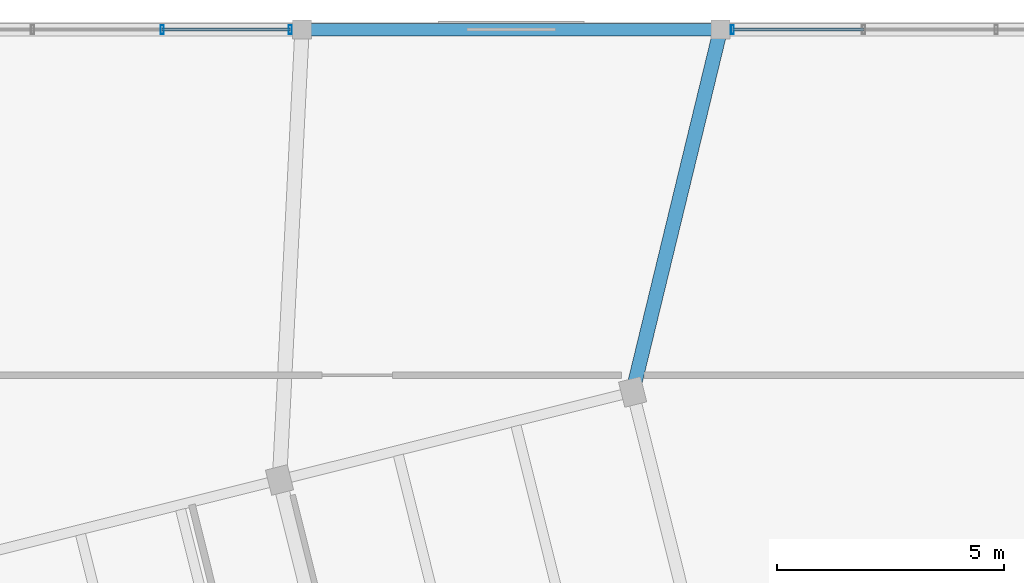
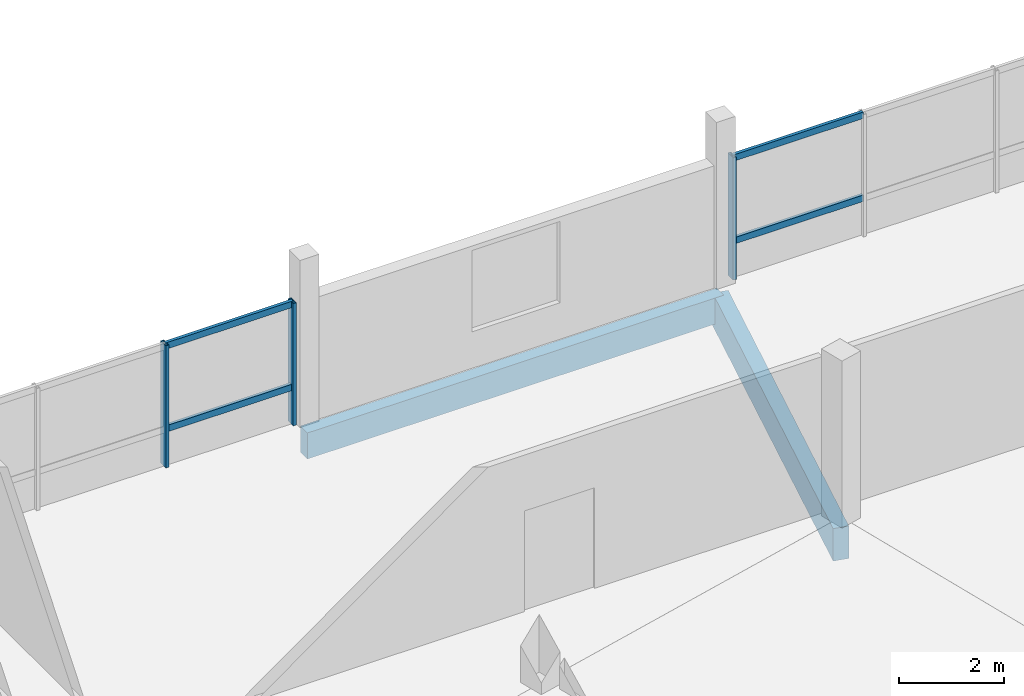
# One storey, part 36 of 47: 7 members, 2 beams, 2 elements without a shape of their own.
"""IFC4 building model written with IfcOpenShell, lengths in metres."""

import ifcopenshell
import ifcopenshell.guid

model = None  # the IFC model being written
_history = None  # IfcOwnerHistory: only IFC2X3 demands one
_inside = {}  # id of a spatial element -> (the spatial element, [elements in it])
_under = {}  # id of a project, library or spatial element -> (it, [spatial elements below it])
_declared = {}  # id of a project -> (the project, [libraries it declares])
_typed = {}  # id of a type object -> (the type object, [elements of that type])
_made_of = {}  # id of a material, layer set ... -> (it, [elements and type objects made of it])


def new_model(schema):
    """Start an empty IFC model of exactly this schema.

    Asked for "IFC4X3", IfcOpenShell would pick the latest addendum, in which some entities
    have other attributes; the version numbers below select the first issue.
    IFC2X3 requires an IfcOwnerHistory on every rooted entity: one is made here for all.
    """
    global model, _history
    if schema == "IFC4X3":
        model = ifcopenshell.file(schema_version=(4, 3, 0, 0))
    else:
        model = ifcopenshell.file(schema=schema)
    _inside.clear()
    _under.clear()
    _declared.clear()
    _typed.clear()
    _made_of.clear()
    _history = None
    if model.schema == "IFC2X3":
        org = make("IfcOrganization", Name="unknown")
        user = make(
            "IfcPersonAndOrganization",
            ThePerson=make("IfcPerson", FamilyName="unknown"),
            TheOrganization=org,
        )
        app = make(
            "IfcApplication",
            ApplicationDeveloper=org,
            Version="unknown",
            ApplicationFullName="unknown",
            ApplicationIdentifier="unknown",
        )
        _history = make(
            "IfcOwnerHistory",
            OwningUser=user,
            OwningApplication=app,
            ChangeAction="ADDED",
            CreationDate=0,
        )
    return model


def make(cls, **values):
    """One entity of the class cls with the attributes given. An attribute that is None is left unset."""
    return model.create_entity(
        cls, **{name: value for name, value in values.items() if value is not None}
    )


def rooted(cls, **values):
    """An entity with a GlobalId (a new one), such as an element, a storey or a relation."""
    return make(cls, GlobalId=ifcopenshell.guid.new(), OwnerHistory=_history, **values)


def si_unit(unit_type, name, prefix=None):
    """IfcSIUnit, for example si_unit("LENGTHUNIT", "METRE", prefix="MILLI")."""
    return make("IfcSIUnit", UnitType=unit_type, Prefix=prefix, Name=name)


def assignment(units):
    """IfcUnitAssignment: the units of a project."""
    return None if units is None else make("IfcUnitAssignment", Units=units)


def point(xyz):
    """IfcCartesianPoint."""
    return None if xyz is None else make("IfcCartesianPoint", Coordinates=xyz)


def direction(xyz):
    """IfcDirection."""
    return None if xyz is None else make("IfcDirection", DirectionRatios=xyz)


def frame(location, z_axis=None, x_axis=None):
    """IfcAxis2Placement3D, a coordinate frame: its origin and axes. An axis left out is left unset."""
    return make(
        "IfcAxis2Placement3D",
        Location=point(location),
        Axis=direction(z_axis),
        RefDirection=direction(x_axis),
    )


def frame_2d(location, x_axis=None):
    """IfcAxis2Placement2D, a coordinate frame in the plane: its origin and x axis."""
    return make(
        "IfcAxis2Placement2D", Location=point(location), RefDirection=direction(x_axis)
    )


def origin():
    """The frame at (0, 0, 0) with its axes left unset."""
    return frame((0.0, 0.0, 0.0))


def origin_2d():
    """The frame at (0, 0) in the plane with its x axis left unset."""
    return frame_2d((0.0, 0.0))


def place(relative_to, where):
    """IfcLocalPlacement: puts the frame where relative to a parent placement (None: the world)."""
    return make(
        "IfcLocalPlacement", PlacementRelTo=relative_to, RelativePlacement=where
    )


def context(
    kind, dimensions, precision=None, world=None, true_north=None, identifier=None
):
    """IfcGeometricRepresentationContext, for example the 3D "Model" context."""
    return make(
        "IfcGeometricRepresentationContext",
        ContextIdentifier=identifier,
        ContextType=kind,
        CoordinateSpaceDimension=dimensions,
        Precision=precision,
        WorldCoordinateSystem=world,
        TrueNorth=true_north,
    )


def subcontext(parent, identifier, kind, view, scale=None):
    """IfcGeometricRepresentationSubContext, for example "Body" below "Model"."""
    return make(
        "IfcGeometricRepresentationSubContext",
        ContextIdentifier=identifier,
        ContextType=kind,
        ParentContext=parent,
        TargetScale=scale,
        TargetView=view,
    )


def project(units=None, contexts=None):
    """IfcProject with its units and contexts."""
    return rooted(
        "IfcProject",
        Name="project",
        RepresentationContexts=contexts,
        UnitsInContext=assignment(units),
    )


def spatial(cls, under=None, at=None, **own):
    """A site, building, storey or space (cls), placed at a placement, below another one or the project."""
    s = rooted(cls, ObjectPlacement=at, **own)
    if under is not None:
        _under.setdefault(under.id(), (under, []))[1].append(s)
    return s


def profile(cls, at=None, kind="AREA", **sizes):
    """A parametric profile (cls). Its sizes go by their IFC names, for example OverallWidth=200.0."""
    return make(cls, ProfileType=kind, Position=at, **sizes)


def rectangle(**sizes):
    """IfcRectangleProfileDef."""
    return profile("IfcRectangleProfileDef", **sizes)


def hollow_rectangle(**sizes):
    """IfcRectangleHollowProfileDef."""
    return profile("IfcRectangleHollowProfileDef", **sizes)


def extrude(swept, where, along, depth):
    """IfcExtrudedAreaSolid: the profile swept, set in the frame where, extruded along a direction by depth."""
    return make(
        "IfcExtrudedAreaSolid",
        SweptArea=swept,
        Position=where,
        ExtrudedDirection=direction(along),
        Depth=depth,
    )


def shape(context_of_items, identifier, shape_type, items):
    """IfcShapeRepresentation: the items that make up one representation, for example the "Body"."""
    return make(
        "IfcShapeRepresentation",
        ContextOfItems=context_of_items,
        RepresentationIdentifier=identifier,
        RepresentationType=shape_type,
        Items=items,
    )


def material(Name=None, Category=None):
    """IfcMaterial."""
    return make("IfcMaterial", Name=Name, Category=Category)


def layer(
    of_material, thickness, ventilated=None, Name=None, Category=None, Priority=None
):
    """IfcMaterialLayer: one layer of a wall or slab, of a material (None: an air gap)."""
    return make(
        "IfcMaterialLayer",
        Material=of_material,
        LayerThickness=thickness,
        IsVentilated=ventilated,
        Name=Name,
        Category=Category,
        Priority=Priority,
    )


def layer_set(layers, Name=None):
    """IfcMaterialLayerSet."""
    return make("IfcMaterialLayerSet", MaterialLayers=layers, LayerSetName=Name)


def material_profile(
    of_material, cross_section, Name=None, Category=None, Priority=None
):
    """IfcMaterialProfile: a cross section and its material."""
    return make(
        "IfcMaterialProfile",
        Name=Name,
        Material=of_material,
        Profile=cross_section,
        Priority=Priority,
        Category=Category,
    )


def profile_set(profiles, Name=None, composite=None):
    """IfcMaterialProfileSet."""
    return make(
        "IfcMaterialProfileSet",
        Name=Name,
        MaterialProfiles=profiles,
        CompositeProfile=composite,
    )


def made_of(thing, what):
    """Note that an element or type object is made of a material, layer set ...; save() writes the relation."""
    if what is not None:
        _made_of.setdefault(what.id(), (what, []))[1].append(thing)
    return thing


def type_object(cls, material=None, **own):
    """A type object (cls), such as IfcWallType, which elements share."""
    return made_of(rooted(cls, **own), material)


def element(
    cls,
    number,
    at=None,
    inside=None,
    cuts=None,
    type_object=None,
    material=None,
    context=None,
    identifier="Body",
    shape_type=None,
    held_by="IfcProductDefinitionShape",
    body=None,
    shapes=None,
    **own,
):
    """One element of the class cls, such as IfcWall. Its Tag is "e" and its number.

    at: its placement. inside: the storey or other place that contains it. cuts: it is an
    opening in that element (IfcRelVoidsElement). A single representation is given by context,
    identifier, shape_type and body (its items); several are given by shapes. held_by: the class
    of the entity that holds the representations. save() writes the other relations.
    """
    e = rooted(cls, Tag="e%d" % number, ObjectPlacement=at, **own)
    if body is not None:
        shapes = [shape(context, identifier, shape_type, body)]
    if shapes is not None:
        e.Representation = make(held_by, Representations=shapes)
    if inside is not None:
        _inside.setdefault(inside.id(), (inside, []))[1].append(e)
    if cuts is not None:
        rooted(
            "IfcRelVoidsElement", RelatingBuildingElement=cuts, RelatedOpeningElement=e
        )
    if type_object is not None:
        _typed.setdefault(type_object.id(), (type_object, []))[1].append(e)
    return made_of(e, material)


def aggregate(whole, parts):
    """IfcRelAggregates: a whole, such as a stair, and the parts it consists of."""
    return rooted("IfcRelAggregates", RelatingObject=whole, RelatedObjects=parts)


def save(model, path):
    """Write the relations noted so far, then the file.

    IfcRelAggregates (storeys below a building ...), IfcRelContainedInSpatialStructure (elements
    in a storey), IfcRelDefinesByType, IfcRelAssociatesMaterial and IfcRelDeclares: one each for
    every whole, place, type object, material and project.
    """
    for whole, parts in _under.values():
        aggregate(whole, parts)
    for where, things in _inside.values():
        rooted(
            "IfcRelContainedInSpatialStructure",
            RelatedElements=things,
            RelatingStructure=where,
        )
    for kind, things in _typed.values():
        rooted("IfcRelDefinesByType", RelatedObjects=things, RelatingType=kind)
    for what, things in _made_of.values():
        rooted("IfcRelAssociatesMaterial", RelatedObjects=things, RelatingMaterial=what)
    for by, libraries in _declared.values():
        rooted("IfcRelDeclares", RelatingContext=by, RelatedDefinitions=libraries)
    model.write(path)


model = new_model("IFC4")

# Units and contexts
model_context = context("Model", 3, precision=1e-05, world=origin(), true_north=direction((0.0, 1.0)))
body_context = subcontext(model_context, "Body", "Model", "MODEL_VIEW")
ifc_project = project(units=[si_unit("LENGTHUNIT", "METRE"), si_unit("AREAUNIT", "SQUARE_METRE"), si_unit("VOLUMEUNIT", "CUBIC_METRE"), si_unit("PLANEANGLEUNIT", "RADIAN"), si_unit("MASSUNIT", "GRAM", prefix="KILO")], contexts=[model_context])

# Site, building, storey
site_placement = place(None, origin())
site = spatial("IfcSite", under=ifc_project, at=site_placement, CompositionType="ELEMENT")
building_placement = place(site_placement, origin())
building = spatial("IfcBuilding", under=site, at=building_placement, Name="Meriwether Solvik Hall", CompositionType="ELEMENT")
storey_placement = place(building_placement, frame((0.0, 0.0, 18.300048828125)))
storey = spatial("IfcBuildingStorey", under=building, at=storey_placement, Name="L04", CompositionType="ELEMENT", Elevation=18.300048828125)

# Beams
ifc_material_1 = material(Name="Glulam Douglas-Fir 24F-V8 GL28h", Category="wood")
ifc_material_profile_1 = material_profile(ifc_material_1, rectangle(XDim=0.27294921875, YDim=0.610107421875, at=origin_2d()), Name="GLB-273X610")
ifc_profile_set_1 = profile_set([ifc_material_profile_1], Name="Glulam Douglas-Fir 24F-V8 GL28h")
beam_type_1 = type_object("IfcBeamType", Name="BM-GL-273X610", PredefinedType="SPANDREL", material=ifc_profile_set_1)
beam_1_placement = place(storey_placement, frame((95.800048828125, 92.800048828125, -0.550048828125), z_axis=(1.0, 0.0, 0.0), x_axis=(0.0, 1.0, 0.0)))
element("IfcBeam", 1, at=beam_1_placement, inside=storey, type_object=beam_type_1, Name="Podium Girder K:11-12 (L04)", PredefinedType="SPANDREL", context=body_context, shape_type="SweptSolid", body=[
    extrude(rectangle(XDim=0.27294921875, YDim=0.610107421875, at=origin_2d()), origin(), (0.0, 0.0, 1.0), 9.199951171875),
])
ifc_material_2 = material(Name="Glulam Douglas-Fir 24F-V8 GL28h", Category="wood")
ifc_material_profile_2 = material_profile(ifc_material_2, rectangle(XDim=0.31494140625, YDim=0.760009765625, at=origin_2d()), Name="GLB-315X760")
ifc_profile_set_2 = profile_set([ifc_material_profile_2], Name="Glulam Douglas-Fir 24F-V8 GL28h")
beam_type_2 = type_object("IfcBeamType", Name="BM-GL-315X760", PredefinedType="BEAM", material=ifc_profile_set_2)
beam_2_placement = place(storey_placement, frame((103.067626953125, 84.834716796875, -0.625), z_axis=(0.235759443043, 0.971811445197, 0.0), x_axis=(-0.971811445197, 0.235759443043, 0.0)))
element("IfcBeam", 2, at=beam_2_placement, inside=storey, type_object=beam_type_2, Name="Diaphragm Collector Girder T7/TF-12/K (L04)", PredefinedType="BEAM", context=body_context, shape_type="SweptSolid", body=[
    extrude(rectangle(XDim=0.31494140625, YDim=0.760009765625, at=origin_2d()), origin(), (0.0, 0.0, 1.0), 8.1962890625),
])

# Curtain wall, members
ifc_material_3 = material(Name="Thermally Broken Anodised Aluminium 6063-T6 and Low-E Glass", Category="aluminium")
ifc_layer = layer(ifc_material_3, 0.179931640625)
ifc_layer_set = layer_set([ifc_layer], Name="Thermally Broken Anodised Aluminium 6063-T6 and Low-E Glass")
curtain_wall_type = type_object("IfcCurtainWallType", Name="CW-UNIT-E", PredefinedType="USERDEFINED", material=ifc_layer_set)
curtain_wall_1_placement = place(storey_placement, origin())
curtain_wall_1 = element("IfcCurtainWall", 3, at=curtain_wall_1_placement, inside=storey, type_object=curtain_wall_type, Name="Curtain Wall wing_XK_10_9 (L04)", ObjectType="UNITISED CURTAIN WALL", PredefinedType="USERDEFINED")
ifc_material_4 = material(Name="Anodised Aluminium 6063-T6", Category="aluminium")
ifc_material_profile_3 = material_profile(ifc_material_4, hollow_rectangle(XDim=0.070068359375, YDim=0.199951171875, WallThickness=0.0048828125, at=origin_2d()), Name="CWM-70X200")
ifc_profile_set_3 = profile_set([ifc_material_profile_3], Name="Anodised Aluminium 6063-T6")
member_type_1 = type_object("IfcMemberType", Name="CW-MUL-70X200", PredefinedType="MULLION", material=ifc_profile_set_3)
member_1_placement = place(storey_placement, frame((92.72607421875, 92.800048828125, 0.0), z_axis=(0.0, 0.0, 1.0), x_axis=(1.0, 0.0, 0.0)))
member_1 = element("IfcMember", 4, at=member_1_placement, type_object=member_type_1, Name="Curtain Wall Mullion 3", PredefinedType="MULLION", context=body_context, shape_type="SweptSolid", body=[
    extrude(hollow_rectangle(XDim=0.070068359375, YDim=0.199951171875, WallThickness=0.0048828125, at=origin_2d()), origin(), (0.0, 0.0, 1.0), 2.85498046875),
])
member_2_placement = place(storey_placement, frame((95.5400390625, 92.800048828125, 0.0), z_axis=(0.0, 0.0, 1.0), x_axis=(1.0, 0.0, 0.0)))
member_2 = element("IfcMember", 5, at=member_2_placement, type_object=member_type_1, Name="Curtain Wall Mullion 4", PredefinedType="MULLION", context=body_context, shape_type="SweptSolid", body=[
    extrude(hollow_rectangle(XDim=0.070068359375, YDim=0.199951171875, WallThickness=0.0048828125, at=origin_2d()), origin(), (0.0, 0.0, 1.0), 2.85498046875),
])

# Curtain wall, member
curtain_wall_2_placement = place(storey_placement, origin())
curtain_wall_2 = element("IfcCurtainWall", 6, at=curtain_wall_2_placement, inside=storey, type_object=curtain_wall_type, Name="Curtain Wall wing_XK_12_11 (L04)", ObjectType="UNITISED CURTAIN WALL", PredefinedType="USERDEFINED")
member_3_placement = place(storey_placement, frame((105.260009765625, 92.800048828125, 0.0), z_axis=(0.0, 0.0, 1.0), x_axis=(1.0, 0.0, 0.0)))
member_3 = element("IfcMember", 7, at=member_3_placement, type_object=member_type_1, Name="Curtain Wall Mullion 1", PredefinedType="MULLION", context=body_context, shape_type="SweptSolid", body=[
    extrude(hollow_rectangle(XDim=0.070068359375, YDim=0.199951171875, WallThickness=0.0048828125, at=origin_2d()), origin(), (0.0, 0.0, 1.0), 2.85498046875),
])

# Member
ifc_material_5 = material(Name="Anodised Aluminium 6063-T6", Category="aluminium")
ifc_material_profile_4 = material_profile(ifc_material_5, hollow_rectangle(XDim=0.070068359375, YDim=0.14990234375, WallThickness=0.0048828125, at=origin_2d()), Name="CWT-70X150")
ifc_profile_set_4 = profile_set([ifc_material_profile_4], Name="Anodised Aluminium 6063-T6")
member_type_2 = type_object("IfcMemberType", Name="CW-TRN-70X150", PredefinedType="USERDEFINED", material=ifc_profile_set_4)
member_4_placement = place(storey_placement, frame((92.72607421875, 92.800048828125, 0.8564453125), z_axis=(1.0, 0.0, 0.0), x_axis=(0.0, 1.0, 0.0)))
member_4 = element("IfcMember", 8, at=member_4_placement, type_object=member_type_2, Name="Curtain Wall Transom 3-sill", ObjectType="TRANSOM", PredefinedType="USERDEFINED", context=body_context, shape_type="SweptSolid", body=[
    extrude(hollow_rectangle(XDim=0.070068359375, YDim=0.14990234375, WallThickness=0.0048828125, at=origin_2d()), origin(), (0.0, 0.0, 1.0), 2.81396484375),
])

member_5_placement = place(storey_placement, frame((92.72607421875, 92.800048828125, 2.794921875), z_axis=(1.0, 0.0, 0.0), x_axis=(0.0, 1.0, 0.0)))
member_5 = element("IfcMember", 9, at=member_5_placement, type_object=member_type_2, Name="Curtain Wall Transom 3-head", ObjectType="TRANSOM", PredefinedType="USERDEFINED", context=body_context, shape_type="SweptSolid", body=[
    extrude(hollow_rectangle(XDim=0.070068359375, YDim=0.14990234375, WallThickness=0.0048828125, at=origin_2d()), origin(), (0.0, 0.0, 1.0), 2.81396484375),
])

aggregate(curtain_wall_1, [member_1, member_2, member_4, member_5])

member_6_placement = place(storey_placement, frame((105.260009765625, 92.800048828125, 0.8564453125), z_axis=(1.0, 0.0, 0.0), x_axis=(0.0, 1.0, 0.0)))
member_6 = element("IfcMember", 10, at=member_6_placement, type_object=member_type_2, Name="Curtain Wall Transom 1-sill", ObjectType="TRANSOM", PredefinedType="USERDEFINED", context=body_context, shape_type="SweptSolid", body=[
    extrude(hollow_rectangle(XDim=0.070068359375, YDim=0.14990234375, WallThickness=0.0048828125, at=origin_2d()), origin(), (0.0, 0.0, 1.0), 2.880615234375),
])

member_7_placement = place(storey_placement, frame((105.260009765625, 92.800048828125, 2.794921875), z_axis=(1.0, 0.0, 0.0), x_axis=(0.0, 1.0, 0.0)))
member_7 = element("IfcMember", 11, at=member_7_placement, type_object=member_type_2, Name="Curtain Wall Transom 1-head", ObjectType="TRANSOM", PredefinedType="USERDEFINED", context=body_context, shape_type="SweptSolid", body=[
    extrude(hollow_rectangle(XDim=0.070068359375, YDim=0.14990234375, WallThickness=0.0048828125, at=origin_2d()), origin(), (0.0, 0.0, 1.0), 2.880615234375),
])

aggregate(curtain_wall_2, [member_3, member_6, member_7])

save(model, "model.ifc")
